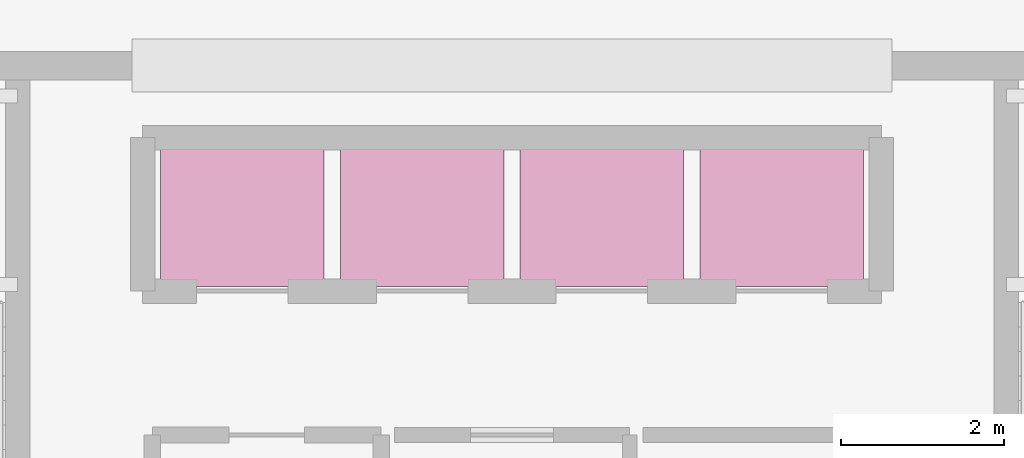
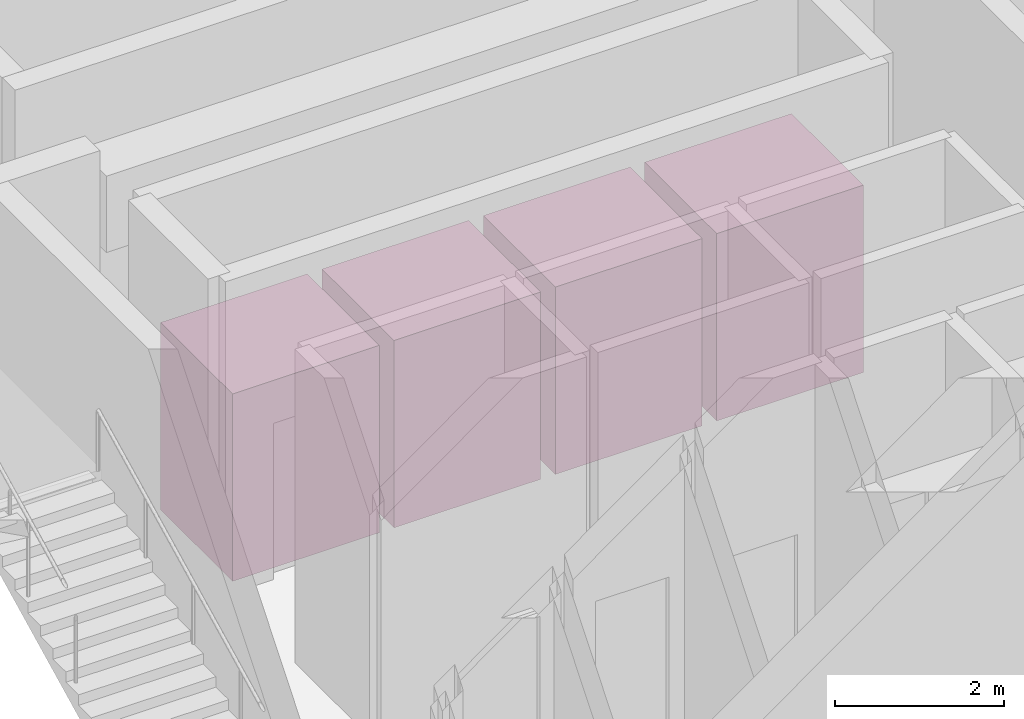
# One storey, part 30 of 30: 4 transport elements.
"""IFC4 building model written with IfcOpenShell, lengths in metres."""

from ifc_helpers import new_model, si_unit, direction, frame, origin, origin_2d, place, context, subcontext, project, spatial, rectangle, extrude, material, type_object, element, save


model = new_model("IFC4")

# Units and contexts
model_context = context("Model", 3, precision=1e-05, world=origin(), true_north=direction((0.0, 1.0)))
body_context = subcontext(model_context, "Body", "Model", "MODEL_VIEW")
ifc_project = project(units=[si_unit("LENGTHUNIT", "METRE"), si_unit("AREAUNIT", "SQUARE_METRE"), si_unit("VOLUMEUNIT", "CUBIC_METRE"), si_unit("PLANEANGLEUNIT", "RADIAN"), si_unit("MASSUNIT", "GRAM", prefix="KILO")], contexts=[model_context])

# Site, building, storey
site_placement = place(None, origin())
site = spatial("IfcSite", under=ifc_project, at=site_placement, CompositionType="ELEMENT")
building_placement = place(site_placement, origin())
building = spatial("IfcBuilding", under=site, at=building_placement, Name="Punatoya Terracotta Tower", CompositionType="ELEMENT")
storey_placement = place(building_placement, frame((0.0, 0.0, 135.0)))
storey = spatial("IfcBuildingStorey", under=building, at=storey_placement, Name="L31", CompositionType="ELEMENT", Elevation=135.0)

# Transport elements
ifc_material = material(Name="Brushed Stainless Steel Car Assembly", Category="steel")
transport_element_type = type_object("IfcTransportElementType", Name="LFT-PAS", PredefinedType="ELEVATOR", material=ifc_material)
for number, where, z_axis, x_axis, name in (
    (1, (-3.300048828125, 1.75, 0.0), (0.0, 0.0, 1.0), (1.0, 0.0, 0.0), "Elevator PL-M1 Car (L31-L55)"),
    (2, (-1.10009765625, 1.75, 0.0), (0.0, 0.0, 1.0), (1.0, 0.0, 0.0), "Elevator PL-M2 Car (L31-L55)"),
    (3, (1.10009765625, 1.75, 0.0), (0.0, 0.0, 1.0), (1.0, 0.0, 0.0), "Elevator PL-M3 Car (L31-L55)"),
    (4, (3.300048828125, 1.75, 0.0), (0.0, 0.0, 1.0), (1.0, 0.0, 0.0), "Elevator PL-M4 Car (L31-L55)"),
):
    element("IfcTransportElement", number, at=place(storey_placement, frame(where, z_axis=z_axis, x_axis=x_axis)), inside=storey, type_object=transport_element_type, Name=name, PredefinedType="ELEVATOR", context=body_context, shape_type="SweptSolid", body=[
        extrude(rectangle(XDim=2.0, YDim=1.699951171875, at=origin_2d()), origin(), (0.0, 0.0, 1.0), 2.699951171875),
    ])

save(model, "model.ifc")
